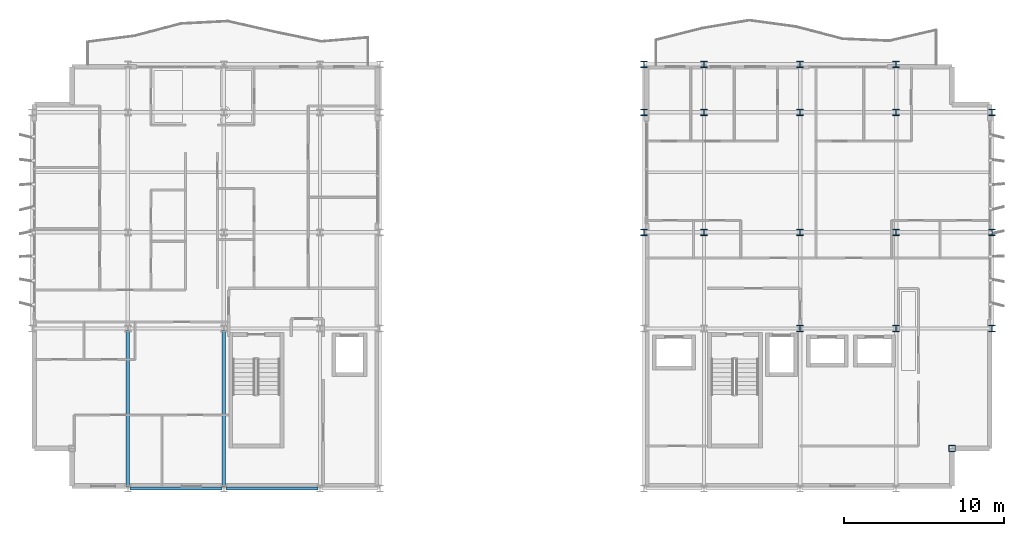
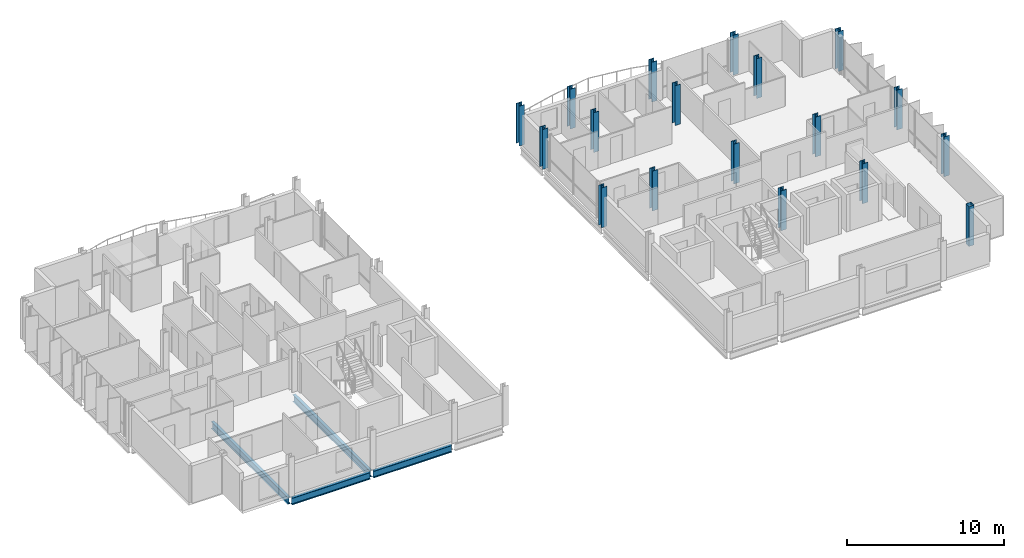
# One storey, part 2 of 28: 18 columns, 4 beams.
"""IFC4 building model written with IfcOpenShell, lengths in metres."""

from ifc_helpers import new_model, si_unit, direction, frame, origin, origin_2d, place, context, subcontext, project, spatial, hollow_rectangle, i_section, extrude, material, material_profile, profile_set, type_object, element, save


model = new_model("IFC4")

# Units and contexts
model_context = context("Model", 3, precision=1e-05, world=origin(), true_north=direction((0.0, 1.0)))
body_context = subcontext(model_context, "Body", "Model", "MODEL_VIEW")
ifc_project = project(units=[si_unit("LENGTHUNIT", "METRE"), si_unit("AREAUNIT", "SQUARE_METRE"), si_unit("VOLUMEUNIT", "CUBIC_METRE"), si_unit("PLANEANGLEUNIT", "RADIAN"), si_unit("MASSUNIT", "GRAM", prefix="KILO")], contexts=[model_context])

# Site, building, storey
site_placement = place(None, origin())
site = spatial("IfcSite", under=ifc_project, at=site_placement, CompositionType="ELEMENT")
building_placement = place(site_placement, origin())
building = spatial("IfcBuilding", under=site, at=building_placement, Name="Brevholm Reach", CompositionType="ELEMENT")
storey_placement = place(building_placement, frame((0.0, 0.0, 192.5)))
storey = spatial("IfcBuildingStorey", under=building, at=storey_placement, Name="L58", CompositionType="ELEMENT", Elevation=192.5)

# Columns
ifc_material_1 = material(Name="Structural Steel S460NH", Category="steel")
ifc_material_profile_1 = material_profile(ifc_material_1, hollow_rectangle(XDim=0.39990234375, YDim=0.39990234375, WallThickness=0.02001953125, InnerFilletRadius=0.011962890625, OuterFilletRadius=0.02392578125, at=origin_2d()), Name="SHS 400x400x20")
ifc_profile_set_1 = profile_set([ifc_material_profile_1], Name="Structural Steel S460NH")
column_type_1 = type_object("IfcColumnType", Name="COL-SHS2", PredefinedType="COLUMN", material=ifc_profile_set_1)
column_placement = place(storey_placement, frame((57.5, 2.5, 0.0), z_axis=(0.0, 0.0, 1.0), x_axis=(1.0, 0.0, 0.0)))
element("IfcColumn", 1, at=column_placement, inside=storey, type_object=column_type_1, Name="L58 Column 45", PredefinedType="COLUMN", context=body_context, shape_type="SweptSolid", body=[
    extrude(hollow_rectangle(XDim=0.39990234375, YDim=0.39990234375, WallThickness=0.02001953125, InnerFilletRadius=0.011962890625, OuterFilletRadius=0.02392578125, at=origin_2d()), origin(), (0.0, 0.0, 1.0), 3.10009765625),
])
ifc_material_2 = material(Name="Structural Steel S355J2", Category="steel")
ifc_material_profile_2 = material_profile(ifc_material_2, i_section(OverallWidth=0.39892578125, OverallDepth=0.3935546875, WebThickness=0.022705078125, FlangeThickness=0.03662109375, FilletRadius=0.01513671875, at=origin_2d()), Name="UKC 356x406x287")
ifc_profile_set_2 = profile_set([ifc_material_profile_2], Name="Structural Steel S355J2")
column_type_2 = type_object("IfcColumnType", Name="COL-UC5B", PredefinedType="COLUMN", material=ifc_profile_set_2)
for number, where, z_axis, x_axis, name in (
    (2, (38.25, 16.0, 0.0), (0.0, 0.0, 1.0), (1.0, 0.0, 0.0), "L58 Column 27"),
    (3, (38.25, 23.5, 0.0), (0.0, 0.0, 1.0), (1.0, 0.0, 0.0), "L58 Column 28"),
    (4, (38.25, 26.5, 0.0), (0.0, 0.0, 1.0), (1.0, 0.0, 0.0), "L58 Column 29"),
    (5, (42.0, 16.0, 0.0), (0.0, 0.0, 1.0), (1.0, 0.0, 0.0), "L58 Column 32"),
    (6, (42.0, 23.5, 0.0), (0.0, 0.0, 1.0), (1.0, 0.0, 0.0), "L58 Column 33"),
    (7, (42.0, 26.5, 0.0), (0.0, 0.0, 1.0), (1.0, 0.0, 0.0), "L58 Column 34"),
    (8, (48.0, 10.0, 0.0), (0.0, 0.0, 1.0), (1.0, 0.0, 0.0), "L58 Column 36"),
    (9, (48.0, 16.0, 0.0), (0.0, 0.0, 1.0), (1.0, 0.0, 0.0), "L58 Column 37"),
    (10, (48.0, 23.5, 0.0), (0.0, 0.0, 1.0), (1.0, 0.0, 0.0), "L58 Column 38"),
    (11, (48.0, 26.5, 0.0), (0.0, 0.0, 1.0), (1.0, 0.0, 0.0), "L58 Column 39"),
    (12, (54.0, 10.0, 0.0), (0.0, 0.0, 1.0), (1.0, 0.0, 0.0), "L58 Column 41"),
    (13, (54.0, 16.0, 0.0), (0.0, 0.0, 1.0), (1.0, 0.0, 0.0), "L58 Column 42"),
    (14, (54.0, 23.5, 0.0), (0.0, 0.0, 1.0), (1.0, 0.0, 0.0), "L58 Column 43"),
    (15, (54.0, 26.5, 0.0), (0.0, 0.0, 1.0), (1.0, 0.0, 0.0), "L58 Column 44"),
    (16, (60.0, 10.0, 0.0), (0.0, 0.0, 1.0), (1.0, 0.0, 0.0), "L58 Column 46"),
    (17, (60.0, 16.0, 0.0), (0.0, 0.0, 1.0), (1.0, 0.0, 0.0), "L58 Column 47"),
    (18, (60.0, 23.5, 0.0), (0.0, 0.0, 1.0), (1.0, 0.0, 0.0), "L58 Column 48"),
):
    element("IfcColumn", number, at=place(storey_placement, frame(where, z_axis=z_axis, x_axis=x_axis)), inside=storey, type_object=column_type_2, Name=name, PredefinedType="COLUMN", context=body_context, shape_type="SweptSolid", body=[
        extrude(i_section(OverallWidth=0.39892578125, OverallDepth=0.3935546875, WebThickness=0.022705078125, FlangeThickness=0.03662109375, FilletRadius=0.01513671875, at=origin_2d()), origin(), (0.0, 0.0, 1.0), 3.10009765625),
    ])

# Beams
ifc_material_3 = material(Name="Structural Steel S355J2", Category="steel")
ifc_material_profile_3 = material_profile(ifc_material_3, i_section(OverallWidth=0.209228515625, OverallDepth=0.533203125, WebThickness=0.010009765625, FlangeThickness=0.015625, FilletRadius=0.0126953125, at=origin_2d()), Name="UKB 533x210x92")
ifc_profile_set_3 = profile_set([ifc_material_profile_3], Name="Structural Steel S355J2")
beam_type_1 = type_object("IfcBeamType", Name="BM-SP533", PredefinedType="SPANDREL", material=ifc_profile_set_3)
for number, where, z_axis, x_axis, name in (
    (19, (6.1201171875, 0.0, -0.4765625), (1.0, 0.0, 0.0), (0.0, 1.0, 0.0), "L58 SP-02 Framing Beam"),
    (20, (12.1201171875, 0.0, -0.4765625), (1.0, 0.0, 0.0), (0.0, 1.0, 0.0), "L58 SP-02 Framing Beam"),
):
    element("IfcBeam", number, at=place(storey_placement, frame(where, z_axis=z_axis, x_axis=x_axis)), inside=storey, type_object=beam_type_1, Name=name, PredefinedType="SPANDREL", context=body_context, shape_type="SweptSolid", body=[
        extrude(i_section(OverallWidth=0.209228515625, OverallDepth=0.533203125, WebThickness=0.010009765625, FlangeThickness=0.015625, FilletRadius=0.0126953125, at=origin_2d()), origin(), (0.0, 0.0, 1.0), 5.759765625),
    ])
ifc_material_4 = material(Name="Structural Steel S355J2", Category="steel")
ifc_material_profile_4 = material_profile(ifc_material_4, i_section(OverallWidth=0.210693359375, OverallDepth=0.53955078125, WebThickness=0.01171875, FlangeThickness=0.018798828125, FilletRadius=0.0126953125, at=origin_2d()), Name="UKB 533x210x109")
ifc_profile_set_4 = profile_set([ifc_material_profile_4], Name="Structural Steel S355J2")
beam_type_2 = type_object("IfcBeamType", Name="BM-SP539", PredefinedType="SPANDREL", material=ifc_profile_set_4)
for number, where, z_axis, x_axis, name in (
    (21, (6.0, 0.1201171875, -0.479736328125), (0.0, 1.0, 0.0), (-1.0, 0.0, 0.0), "L58 SP-01B Framing Beam"),
    (22, (12.0, 0.1201171875, -0.479736328125), (0.0, 1.0, 0.0), (-1.0, 0.0, 0.0), "L58 SP-01B Framing Beam"),
):
    element("IfcBeam", number, at=place(storey_placement, frame(where, z_axis=z_axis, x_axis=x_axis)), inside=storey, type_object=beam_type_2, Name=name, PredefinedType="SPANDREL", context=body_context, shape_type="SweptSolid", body=[
        extrude(i_section(OverallWidth=0.210693359375, OverallDepth=0.53955078125, WebThickness=0.01171875, FlangeThickness=0.018798828125, FilletRadius=0.0126953125, at=origin_2d()), origin(), (0.0, 0.0, 1.0), 9.759765625),
    ])

save(model, "model.ifc")
